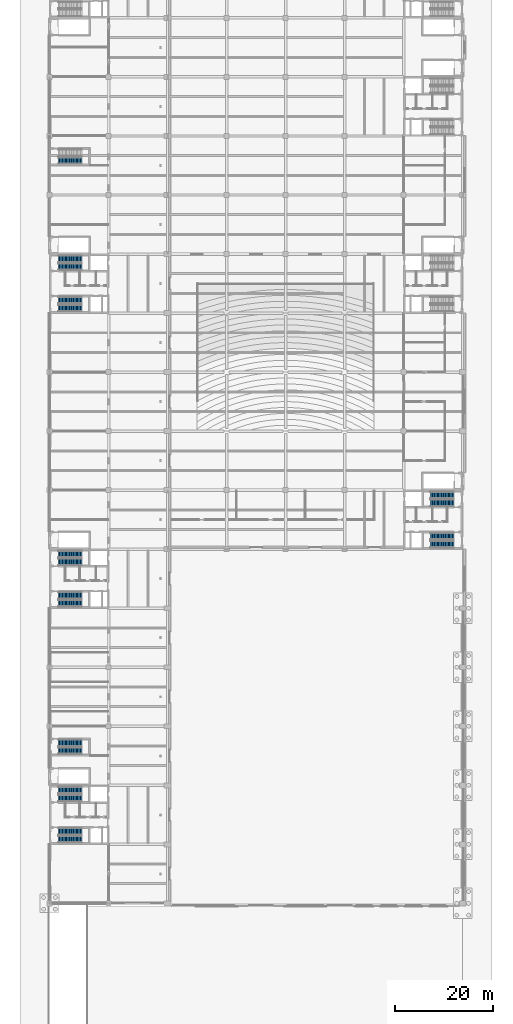
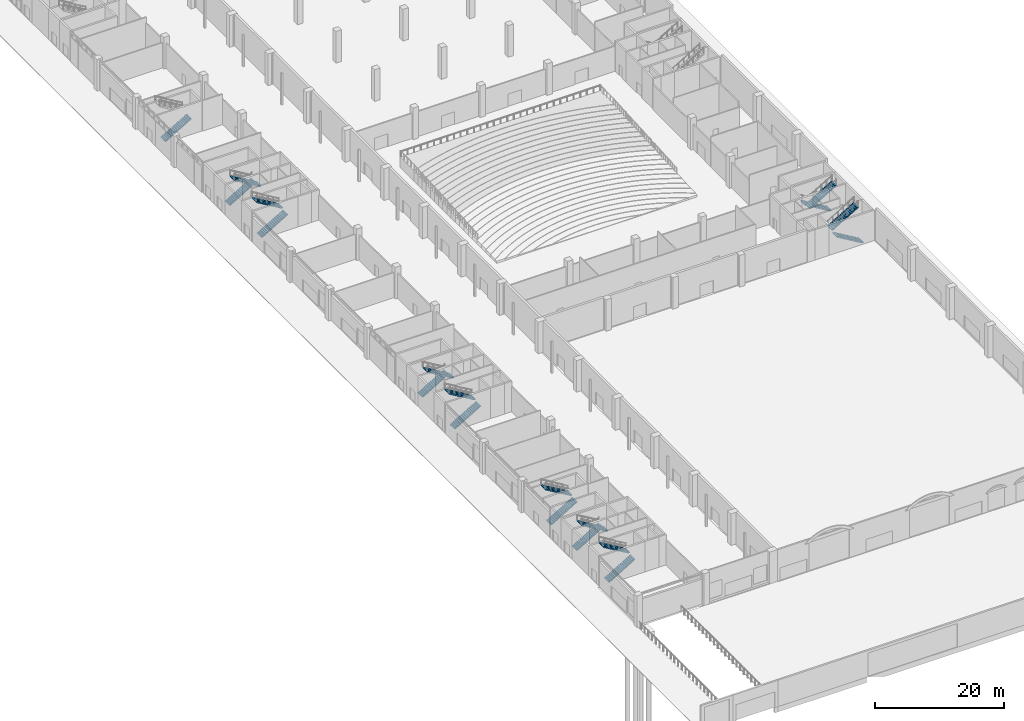
# One storey, part 50 of 59: 19 stair flights, 10 elements without a shape of their own.
"""IFC4 building model written with IfcOpenShell, lengths in metres."""

from ifc_helpers import new_model, si_unit, direction, frame, origin, place, context, subcontext, project, spatial, polyline, outline, extrude, material, type_object, element, aggregate, save


model = new_model("IFC4")

# Units and contexts
model_context = context("Model", 3, precision=1e-05, world=origin(), true_north=direction((0.0, 1.0)))
body_context = subcontext(model_context, "Body", "Model", "MODEL_VIEW")
ifc_project = project(units=[si_unit("LENGTHUNIT", "METRE"), si_unit("AREAUNIT", "SQUARE_METRE"), si_unit("VOLUMEUNIT", "CUBIC_METRE"), si_unit("PLANEANGLEUNIT", "RADIAN"), si_unit("MASSUNIT", "GRAM", prefix="KILO")], contexts=[model_context])

# Site, building, storey
site_placement = place(None, origin())
site = spatial("IfcSite", under=ifc_project, at=site_placement, CompositionType="ELEMENT")
building_placement = place(site_placement, origin())
building = spatial("IfcBuilding", under=site, at=building_placement, Name="Lilac Gate Convention Centre", CompositionType="ELEMENT")
storey_placement = place(building_placement, origin())
storey = spatial("IfcBuildingStorey", under=building, at=storey_placement, Name="L00", CompositionType="ELEMENT", Elevation=0.0)

# Stair, stair flights
ifc_material = material(Name="Concrete C40", Category="concrete")
stair_type = type_object("IfcStairType", Name="Exit stair two flights", PredefinedType="HALF_TURN_STAIR", material=ifc_material)
stair_1_placement = place(storey_placement, origin())
stair_1 = element("IfcStair", 1, at=stair_1_placement, inside=storey, type_object=stair_type, Name="Exit stair W1A L00 to L01", PredefinedType="HALF_TURN_STAIR")
stair_flight_type = type_object("IfcStairFlightType", Name="Stair flight 1400 precast", PredefinedType="STRAIGHT", material=ifc_material)
stair_flight_1_placement = place(storey_placement, frame((7.800048828125, 43.0, 0.0), z_axis=(0.0, 0.0, 1.0), x_axis=(1.0, 0.0, 0.0)))
stair_flight_1 = element("IfcStairFlight", 2, at=stair_flight_1_placement, type_object=stair_flight_type, Name="ST1 flight 1", NumberOfRisers=18, NumberOfTreads=17, PredefinedType="STRAIGHT", RiserHeight=0.166666667, TreadLength=0.28, context=body_context, shape_type="SweptSolid", body=[
    extrude(outline(polyline([(0.0, 0.0), (0.0, 0.166748046875), (0.280029296875, 0.166748046875), (0.280029296875, 0.333251953125), (0.56005859375, 0.333251953125), (0.56005859375, 0.5), (0.840087890625, 0.5), (0.840087890625, 0.666748046875), (1.1201171875, 0.666748046875), (1.1201171875, 0.833251953125), (1.39990234375, 0.833251953125), (1.39990234375, 1.0), (1.679931640625, 1.0), (1.679931640625, 1.166748046875), (1.9599609375, 1.166748046875), (1.9599609375, 1.333251953125), (2.239990234375, 1.333251953125), (2.239990234375, 1.5), (2.52001953125, 1.5), (2.52001953125, 1.666748046875), (2.800048828125, 1.666748046875), (2.800048828125, 1.833251953125), (3.080078125, 1.833251953125), (3.080078125, 2.0), (3.360107421875, 2.0), (3.360107421875, 2.166748046875), (3.639892578125, 2.166748046875), (3.639892578125, 2.333251953125), (3.919921875, 2.333251953125), (3.919921875, 2.5), (4.199951171875, 2.5), (4.199951171875, 2.666748046875), (4.47998046875, 2.666748046875), (4.47998046875, 2.833251953125), (4.760009765625, 2.833251953125), (4.760009765625, 3.0), (4.760009765625, 2.658935546875), (0.29296875, 0.0), (0.0, 0.0)])), frame((0.0, 0.699951171875, 0.0), z_axis=(0.0, -1.0, 0.0), x_axis=(1.0, 0.0, 0.0)), (0.0, 0.0, 1.0), 1.39990234375),
])
stair_flight_2_placement = place(storey_placement, frame((12.56005859375, 44.60009765625, 3.0), z_axis=(0.0, 0.0, 1.0), x_axis=(-1.0, 0.0, 0.0)))
stair_flight_2 = element("IfcStairFlight", 3, at=stair_flight_2_placement, type_object=stair_flight_type, Name="ST1 flight 2", NumberOfRisers=18, NumberOfTreads=17, PredefinedType="STRAIGHT", RiserHeight=0.166666667, TreadLength=0.28, context=body_context, shape_type="SweptSolid", body=[
    extrude(outline(polyline([(0.0, 0.0), (0.0, 0.166748046875), (0.280029296875, 0.166748046875), (0.280029296875, 0.333251953125), (0.56005859375, 0.333251953125), (0.56005859375, 0.5), (0.840087890625, 0.5), (0.840087890625, 0.666748046875), (1.1201171875, 0.666748046875), (1.1201171875, 0.833251953125), (1.39990234375, 0.833251953125), (1.39990234375, 1.0), (1.679931640625, 1.0), (1.679931640625, 1.166748046875), (1.9599609375, 1.166748046875), (1.9599609375, 1.333251953125), (2.239990234375, 1.333251953125), (2.239990234375, 1.5), (2.52001953125, 1.5), (2.52001953125, 1.666748046875), (2.800048828125, 1.666748046875), (2.800048828125, 1.833251953125), (3.080078125, 1.833251953125), (3.080078125, 2.0), (3.360107421875, 2.0), (3.360107421875, 2.166748046875), (3.639892578125, 2.166748046875), (3.639892578125, 2.333251953125), (3.919921875, 2.333251953125), (3.919921875, 2.5), (4.199951171875, 2.5), (4.199951171875, 2.666748046875), (4.47998046875, 2.666748046875), (4.47998046875, 2.833251953125), (4.760009765625, 2.833251953125), (4.760009765625, 3.0), (4.760009765625, 2.658935546875), (0.29296875, 0.0), (0.0, 0.0)])), frame((0.0, 0.699951171875, 0.0), z_axis=(0.0, -1.0, 0.0), x_axis=(1.0, 0.0, 0.0)), (0.0, 0.0, 1.0), 1.39990234375),
])
aggregate(stair_1, [stair_flight_1, stair_flight_2])

stair_2_placement = place(storey_placement, origin())
stair_2 = element("IfcStair", 4, at=stair_2_placement, inside=storey, type_object=stair_type, Name="Exit stair W1B L00 to L01", PredefinedType="HALF_TURN_STAIR")
stair_flight_3_placement = place(storey_placement, frame((7.800048828125, 53.0, 0.0), z_axis=(0.0, 0.0, 1.0), x_axis=(1.0, 0.0, 0.0)))
stair_flight_3 = element("IfcStairFlight", 5, at=stair_flight_3_placement, type_object=stair_flight_type, Name="ST2 flight 1", NumberOfRisers=18, NumberOfTreads=17, PredefinedType="STRAIGHT", RiserHeight=0.166666667, TreadLength=0.28, context=body_context, shape_type="SweptSolid", body=[
    extrude(outline(polyline([(0.0, 0.0), (0.0, 0.166748046875), (0.280029296875, 0.166748046875), (0.280029296875, 0.333251953125), (0.56005859375, 0.333251953125), (0.56005859375, 0.5), (0.840087890625, 0.5), (0.840087890625, 0.666748046875), (1.1201171875, 0.666748046875), (1.1201171875, 0.833251953125), (1.39990234375, 0.833251953125), (1.39990234375, 1.0), (1.679931640625, 1.0), (1.679931640625, 1.166748046875), (1.9599609375, 1.166748046875), (1.9599609375, 1.333251953125), (2.239990234375, 1.333251953125), (2.239990234375, 1.5), (2.52001953125, 1.5), (2.52001953125, 1.666748046875), (2.800048828125, 1.666748046875), (2.800048828125, 1.833251953125), (3.080078125, 1.833251953125), (3.080078125, 2.0), (3.360107421875, 2.0), (3.360107421875, 2.166748046875), (3.639892578125, 2.166748046875), (3.639892578125, 2.333251953125), (3.919921875, 2.333251953125), (3.919921875, 2.5), (4.199951171875, 2.5), (4.199951171875, 2.666748046875), (4.47998046875, 2.666748046875), (4.47998046875, 2.833251953125), (4.760009765625, 2.833251953125), (4.760009765625, 3.0), (4.760009765625, 2.658935546875), (0.29296875, 0.0), (0.0, 0.0)])), frame((0.0, 0.699951171875, 0.0), z_axis=(0.0, -1.0, 0.0), x_axis=(1.0, 0.0, 0.0)), (0.0, 0.0, 1.0), 1.39990234375),
])
stair_flight_4_placement = place(storey_placement, frame((12.56005859375, 51.39990234375, 3.0), z_axis=(0.0, 0.0, 1.0), x_axis=(-1.0, 0.0, 0.0)))
stair_flight_4 = element("IfcStairFlight", 6, at=stair_flight_4_placement, type_object=stair_flight_type, Name="ST2 flight 2", NumberOfRisers=18, NumberOfTreads=17, PredefinedType="STRAIGHT", RiserHeight=0.166666667, TreadLength=0.28, context=body_context, shape_type="SweptSolid", body=[
    extrude(outline(polyline([(0.0, 0.0), (0.0, 0.166748046875), (0.280029296875, 0.166748046875), (0.280029296875, 0.333251953125), (0.56005859375, 0.333251953125), (0.56005859375, 0.5), (0.840087890625, 0.5), (0.840087890625, 0.666748046875), (1.1201171875, 0.666748046875), (1.1201171875, 0.833251953125), (1.39990234375, 0.833251953125), (1.39990234375, 1.0), (1.679931640625, 1.0), (1.679931640625, 1.166748046875), (1.9599609375, 1.166748046875), (1.9599609375, 1.333251953125), (2.239990234375, 1.333251953125), (2.239990234375, 1.5), (2.52001953125, 1.5), (2.52001953125, 1.666748046875), (2.800048828125, 1.666748046875), (2.800048828125, 1.833251953125), (3.080078125, 1.833251953125), (3.080078125, 2.0), (3.360107421875, 2.0), (3.360107421875, 2.166748046875), (3.639892578125, 2.166748046875), (3.639892578125, 2.333251953125), (3.919921875, 2.333251953125), (3.919921875, 2.5), (4.199951171875, 2.5), (4.199951171875, 2.666748046875), (4.47998046875, 2.666748046875), (4.47998046875, 2.833251953125), (4.760009765625, 2.833251953125), (4.760009765625, 3.0), (4.760009765625, 2.658935546875), (0.29296875, 0.0), (0.0, 0.0)])), frame((0.0, 0.699951171875, 0.0), z_axis=(0.0, -1.0, 0.0), x_axis=(1.0, 0.0, 0.0)), (0.0, 0.0, 1.0), 1.39990234375),
])
aggregate(stair_2, [stair_flight_3, stair_flight_4])

stair_3_placement = place(storey_placement, origin())
stair_3 = element("IfcStair", 7, at=stair_3_placement, inside=storey, type_object=stair_type, Name="Exit stair W2A L00 to L01", PredefinedType="HALF_TURN_STAIR")
stair_flight_5_placement = place(storey_placement, frame((7.800048828125, 91.0, 0.0), z_axis=(0.0, 0.0, 1.0), x_axis=(1.0, 0.0, 0.0)))
stair_flight_5 = element("IfcStairFlight", 8, at=stair_flight_5_placement, type_object=stair_flight_type, Name="ST7 flight 1", NumberOfRisers=18, NumberOfTreads=17, PredefinedType="STRAIGHT", RiserHeight=0.166666667, TreadLength=0.28, context=body_context, shape_type="SweptSolid", body=[
    extrude(outline(polyline([(0.0, 0.0), (0.0, 0.166748046875), (0.280029296875, 0.166748046875), (0.280029296875, 0.333251953125), (0.56005859375, 0.333251953125), (0.56005859375, 0.5), (0.840087890625, 0.5), (0.840087890625, 0.666748046875), (1.1201171875, 0.666748046875), (1.1201171875, 0.833251953125), (1.39990234375, 0.833251953125), (1.39990234375, 1.0), (1.679931640625, 1.0), (1.679931640625, 1.166748046875), (1.9599609375, 1.166748046875), (1.9599609375, 1.333251953125), (2.239990234375, 1.333251953125), (2.239990234375, 1.5), (2.52001953125, 1.5), (2.52001953125, 1.666748046875), (2.800048828125, 1.666748046875), (2.800048828125, 1.833251953125), (3.080078125, 1.833251953125), (3.080078125, 2.0), (3.360107421875, 2.0), (3.360107421875, 2.166748046875), (3.639892578125, 2.166748046875), (3.639892578125, 2.333251953125), (3.919921875, 2.333251953125), (3.919921875, 2.5), (4.199951171875, 2.5), (4.199951171875, 2.666748046875), (4.47998046875, 2.666748046875), (4.47998046875, 2.833251953125), (4.760009765625, 2.833251953125), (4.760009765625, 3.0), (4.760009765625, 2.658935546875), (0.29296875, 0.0), (0.0, 0.0)])), frame((0.0, 0.699951171875, 0.0), z_axis=(0.0, -1.0, 0.0), x_axis=(1.0, 0.0, 0.0)), (0.0, 0.0, 1.0), 1.39990234375),
])
stair_flight_6_placement = place(storey_placement, frame((12.56005859375, 92.60009765625, 3.0), z_axis=(0.0, 0.0, 1.0), x_axis=(-1.0, 0.0, 0.0)))
stair_flight_6 = element("IfcStairFlight", 9, at=stair_flight_6_placement, type_object=stair_flight_type, Name="ST7 flight 2", NumberOfRisers=18, NumberOfTreads=17, PredefinedType="STRAIGHT", RiserHeight=0.166666667, TreadLength=0.28, context=body_context, shape_type="SweptSolid", body=[
    extrude(outline(polyline([(0.0, 0.0), (0.0, 0.166748046875), (0.280029296875, 0.166748046875), (0.280029296875, 0.333251953125), (0.56005859375, 0.333251953125), (0.56005859375, 0.5), (0.840087890625, 0.5), (0.840087890625, 0.666748046875), (1.1201171875, 0.666748046875), (1.1201171875, 0.833251953125), (1.39990234375, 0.833251953125), (1.39990234375, 1.0), (1.679931640625, 1.0), (1.679931640625, 1.166748046875), (1.9599609375, 1.166748046875), (1.9599609375, 1.333251953125), (2.239990234375, 1.333251953125), (2.239990234375, 1.5), (2.52001953125, 1.5), (2.52001953125, 1.666748046875), (2.800048828125, 1.666748046875), (2.800048828125, 1.833251953125), (3.080078125, 1.833251953125), (3.080078125, 2.0), (3.360107421875, 2.0), (3.360107421875, 2.166748046875), (3.639892578125, 2.166748046875), (3.639892578125, 2.333251953125), (3.919921875, 2.333251953125), (3.919921875, 2.5), (4.199951171875, 2.5), (4.199951171875, 2.666748046875), (4.47998046875, 2.666748046875), (4.47998046875, 2.833251953125), (4.760009765625, 2.833251953125), (4.760009765625, 3.0), (4.760009765625, 2.658935546875), (0.29296875, 0.0), (0.0, 0.0)])), frame((0.0, 0.699951171875, 0.0), z_axis=(0.0, -1.0, 0.0), x_axis=(1.0, 0.0, 0.0)), (0.0, 0.0, 1.0), 1.39990234375),
])
aggregate(stair_3, [stair_flight_5, stair_flight_6])

stair_4_placement = place(storey_placement, origin())
stair_4 = element("IfcStair", 10, at=stair_4_placement, inside=storey, type_object=stair_type, Name="Exit stair W2B L00 to L01", PredefinedType="HALF_TURN_STAIR")
stair_flight_7_placement = place(storey_placement, frame((7.800048828125, 101.0, 0.0), z_axis=(0.0, 0.0, 1.0), x_axis=(1.0, 0.0, 0.0)))
stair_flight_7 = element("IfcStairFlight", 11, at=stair_flight_7_placement, type_object=stair_flight_type, Name="ST8 flight 1", NumberOfRisers=18, NumberOfTreads=17, PredefinedType="STRAIGHT", RiserHeight=0.166666667, TreadLength=0.28, context=body_context, shape_type="SweptSolid", body=[
    extrude(outline(polyline([(0.0, 0.0), (0.0, 0.166748046875), (0.280029296875, 0.166748046875), (0.280029296875, 0.333251953125), (0.56005859375, 0.333251953125), (0.56005859375, 0.5), (0.840087890625, 0.5), (0.840087890625, 0.666748046875), (1.1201171875, 0.666748046875), (1.1201171875, 0.833251953125), (1.39990234375, 0.833251953125), (1.39990234375, 1.0), (1.679931640625, 1.0), (1.679931640625, 1.166748046875), (1.9599609375, 1.166748046875), (1.9599609375, 1.333251953125), (2.239990234375, 1.333251953125), (2.239990234375, 1.5), (2.52001953125, 1.5), (2.52001953125, 1.666748046875), (2.800048828125, 1.666748046875), (2.800048828125, 1.833251953125), (3.080078125, 1.833251953125), (3.080078125, 2.0), (3.360107421875, 2.0), (3.360107421875, 2.166748046875), (3.639892578125, 2.166748046875), (3.639892578125, 2.333251953125), (3.919921875, 2.333251953125), (3.919921875, 2.5), (4.199951171875, 2.5), (4.199951171875, 2.666748046875), (4.47998046875, 2.666748046875), (4.47998046875, 2.833251953125), (4.760009765625, 2.833251953125), (4.760009765625, 3.0), (4.760009765625, 2.658935546875), (0.29296875, 0.0), (0.0, 0.0)])), frame((0.0, 0.699951171875, 0.0), z_axis=(0.0, -1.0, 0.0), x_axis=(1.0, 0.0, 0.0)), (0.0, 0.0, 1.0), 1.39990234375),
])
stair_flight_8_placement = place(storey_placement, frame((12.56005859375, 99.39990234375, 3.0), z_axis=(0.0, 0.0, 1.0), x_axis=(-1.0, 0.0, 0.0)))
stair_flight_8 = element("IfcStairFlight", 12, at=stair_flight_8_placement, type_object=stair_flight_type, Name="ST8 flight 2", NumberOfRisers=18, NumberOfTreads=17, PredefinedType="STRAIGHT", RiserHeight=0.166666667, TreadLength=0.28, context=body_context, shape_type="SweptSolid", body=[
    extrude(outline(polyline([(0.0, 0.0), (0.0, 0.166748046875), (0.280029296875, 0.166748046875), (0.280029296875, 0.333251953125), (0.56005859375, 0.333251953125), (0.56005859375, 0.5), (0.840087890625, 0.5), (0.840087890625, 0.666748046875), (1.1201171875, 0.666748046875), (1.1201171875, 0.833251953125), (1.39990234375, 0.833251953125), (1.39990234375, 1.0), (1.679931640625, 1.0), (1.679931640625, 1.166748046875), (1.9599609375, 1.166748046875), (1.9599609375, 1.333251953125), (2.239990234375, 1.333251953125), (2.239990234375, 1.5), (2.52001953125, 1.5), (2.52001953125, 1.666748046875), (2.800048828125, 1.666748046875), (2.800048828125, 1.833251953125), (3.080078125, 1.833251953125), (3.080078125, 2.0), (3.360107421875, 2.0), (3.360107421875, 2.166748046875), (3.639892578125, 2.166748046875), (3.639892578125, 2.333251953125), (3.919921875, 2.333251953125), (3.919921875, 2.5), (4.199951171875, 2.5), (4.199951171875, 2.666748046875), (4.47998046875, 2.666748046875), (4.47998046875, 2.833251953125), (4.760009765625, 2.833251953125), (4.760009765625, 3.0), (4.760009765625, 2.658935546875), (0.29296875, 0.0), (0.0, 0.0)])), frame((0.0, 0.699951171875, 0.0), z_axis=(0.0, -1.0, 0.0), x_axis=(1.0, 0.0, 0.0)), (0.0, 0.0, 1.0), 1.39990234375),
])
aggregate(stair_4, [stair_flight_7, stair_flight_8])

stair_5_placement = place(storey_placement, origin())
stair_5 = element("IfcStair", 13, at=stair_5_placement, inside=storey, type_object=stair_type, Name="Exit stair W3A L00 to L01", PredefinedType="HALF_TURN_STAIR")
stair_flight_9_placement = place(storey_placement, frame((7.800048828125, 151.0, 0.0), z_axis=(0.0, 0.0, 1.0), x_axis=(1.0, 0.0, 0.0)))
stair_flight_9 = element("IfcStairFlight", 14, at=stair_flight_9_placement, type_object=stair_flight_type, Name="ST13 flight 1", NumberOfRisers=18, NumberOfTreads=17, PredefinedType="STRAIGHT", RiserHeight=0.166666667, TreadLength=0.28, context=body_context, shape_type="SweptSolid", body=[
    extrude(outline(polyline([(0.0, 0.0), (0.0, 0.166748046875), (0.280029296875, 0.166748046875), (0.280029296875, 0.333251953125), (0.56005859375, 0.333251953125), (0.56005859375, 0.5), (0.840087890625, 0.5), (0.840087890625, 0.666748046875), (1.1201171875, 0.666748046875), (1.1201171875, 0.833251953125), (1.39990234375, 0.833251953125), (1.39990234375, 1.0), (1.679931640625, 1.0), (1.679931640625, 1.166748046875), (1.9599609375, 1.166748046875), (1.9599609375, 1.333251953125), (2.239990234375, 1.333251953125), (2.239990234375, 1.5), (2.52001953125, 1.5), (2.52001953125, 1.666748046875), (2.800048828125, 1.666748046875), (2.800048828125, 1.833251953125), (3.080078125, 1.833251953125), (3.080078125, 2.0), (3.360107421875, 2.0), (3.360107421875, 2.166748046875), (3.639892578125, 2.166748046875), (3.639892578125, 2.333251953125), (3.919921875, 2.333251953125), (3.919921875, 2.5), (4.199951171875, 2.5), (4.199951171875, 2.666748046875), (4.47998046875, 2.666748046875), (4.47998046875, 2.833251953125), (4.760009765625, 2.833251953125), (4.760009765625, 3.0), (4.760009765625, 2.658935546875), (0.29296875, 0.0), (0.0, 0.0)])), frame((0.0, 0.699951171875, 0.0), z_axis=(0.0, -1.0, 0.0), x_axis=(1.0, 0.0, 0.0)), (0.0, 0.0, 1.0), 1.39990234375),
])
stair_flight_10_placement = place(storey_placement, frame((12.56005859375, 152.60009765625, 3.0), z_axis=(0.0, 0.0, 1.0), x_axis=(-1.0, 0.0, 0.0)))
stair_flight_10 = element("IfcStairFlight", 15, at=stair_flight_10_placement, type_object=stair_flight_type, Name="ST13 flight 2", NumberOfRisers=18, NumberOfTreads=17, PredefinedType="STRAIGHT", RiserHeight=0.166666667, TreadLength=0.28, context=body_context, shape_type="SweptSolid", body=[
    extrude(outline(polyline([(0.0, 0.0), (0.0, 0.166748046875), (0.280029296875, 0.166748046875), (0.280029296875, 0.333251953125), (0.56005859375, 0.333251953125), (0.56005859375, 0.5), (0.840087890625, 0.5), (0.840087890625, 0.666748046875), (1.1201171875, 0.666748046875), (1.1201171875, 0.833251953125), (1.39990234375, 0.833251953125), (1.39990234375, 1.0), (1.679931640625, 1.0), (1.679931640625, 1.166748046875), (1.9599609375, 1.166748046875), (1.9599609375, 1.333251953125), (2.239990234375, 1.333251953125), (2.239990234375, 1.5), (2.52001953125, 1.5), (2.52001953125, 1.666748046875), (2.800048828125, 1.666748046875), (2.800048828125, 1.833251953125), (3.080078125, 1.833251953125), (3.080078125, 2.0), (3.360107421875, 2.0), (3.360107421875, 2.166748046875), (3.639892578125, 2.166748046875), (3.639892578125, 2.333251953125), (3.919921875, 2.333251953125), (3.919921875, 2.5), (4.199951171875, 2.5), (4.199951171875, 2.666748046875), (4.47998046875, 2.666748046875), (4.47998046875, 2.833251953125), (4.760009765625, 2.833251953125), (4.760009765625, 3.0), (4.760009765625, 2.658935546875), (0.29296875, 0.0), (0.0, 0.0)])), frame((0.0, 0.699951171875, 0.0), z_axis=(0.0, -1.0, 0.0), x_axis=(1.0, 0.0, 0.0)), (0.0, 0.0, 1.0), 1.39990234375),
])
aggregate(stair_5, [stair_flight_9, stair_flight_10])

stair_6_placement = place(storey_placement, origin())
stair_6 = element("IfcStair", 16, at=stair_6_placement, inside=storey, type_object=stair_type, Name="Exit stair W3B L00 to L01", PredefinedType="HALF_TURN_STAIR")
stair_flight_11_placement = place(storey_placement, frame((7.800048828125, 161.0, 0.0), z_axis=(0.0, 0.0, 1.0), x_axis=(1.0, 0.0, 0.0)))
stair_flight_11 = element("IfcStairFlight", 17, at=stair_flight_11_placement, type_object=stair_flight_type, Name="ST14 flight 1", NumberOfRisers=18, NumberOfTreads=17, PredefinedType="STRAIGHT", RiserHeight=0.166666667, TreadLength=0.28, context=body_context, shape_type="SweptSolid", body=[
    extrude(outline(polyline([(0.0, 0.0), (0.0, 0.166748046875), (0.280029296875, 0.166748046875), (0.280029296875, 0.333251953125), (0.56005859375, 0.333251953125), (0.56005859375, 0.5), (0.840087890625, 0.5), (0.840087890625, 0.666748046875), (1.1201171875, 0.666748046875), (1.1201171875, 0.833251953125), (1.39990234375, 0.833251953125), (1.39990234375, 1.0), (1.679931640625, 1.0), (1.679931640625, 1.166748046875), (1.9599609375, 1.166748046875), (1.9599609375, 1.333251953125), (2.239990234375, 1.333251953125), (2.239990234375, 1.5), (2.52001953125, 1.5), (2.52001953125, 1.666748046875), (2.800048828125, 1.666748046875), (2.800048828125, 1.833251953125), (3.080078125, 1.833251953125), (3.080078125, 2.0), (3.360107421875, 2.0), (3.360107421875, 2.166748046875), (3.639892578125, 2.166748046875), (3.639892578125, 2.333251953125), (3.919921875, 2.333251953125), (3.919921875, 2.5), (4.199951171875, 2.5), (4.199951171875, 2.666748046875), (4.47998046875, 2.666748046875), (4.47998046875, 2.833251953125), (4.760009765625, 2.833251953125), (4.760009765625, 3.0), (4.760009765625, 2.658935546875), (0.29296875, 0.0), (0.0, 0.0)])), frame((0.0, 0.699951171875, 0.0), z_axis=(0.0, -1.0, 0.0), x_axis=(1.0, 0.0, 0.0)), (0.0, 0.0, 1.0), 1.39990234375),
])
stair_flight_12_placement = place(storey_placement, frame((12.56005859375, 159.39990234375, 3.0), z_axis=(0.0, 0.0, 1.0), x_axis=(-1.0, 0.0, 0.0)))
stair_flight_12 = element("IfcStairFlight", 18, at=stair_flight_12_placement, type_object=stair_flight_type, Name="ST14 flight 2", NumberOfRisers=18, NumberOfTreads=17, PredefinedType="STRAIGHT", RiserHeight=0.166666667, TreadLength=0.28, context=body_context, shape_type="SweptSolid", body=[
    extrude(outline(polyline([(0.0, 0.0), (0.0, 0.166748046875), (0.280029296875, 0.166748046875), (0.280029296875, 0.333251953125), (0.56005859375, 0.333251953125), (0.56005859375, 0.5), (0.840087890625, 0.5), (0.840087890625, 0.666748046875), (1.1201171875, 0.666748046875), (1.1201171875, 0.833251953125), (1.39990234375, 0.833251953125), (1.39990234375, 1.0), (1.679931640625, 1.0), (1.679931640625, 1.166748046875), (1.9599609375, 1.166748046875), (1.9599609375, 1.333251953125), (2.239990234375, 1.333251953125), (2.239990234375, 1.5), (2.52001953125, 1.5), (2.52001953125, 1.666748046875), (2.800048828125, 1.666748046875), (2.800048828125, 1.833251953125), (3.080078125, 1.833251953125), (3.080078125, 2.0), (3.360107421875, 2.0), (3.360107421875, 2.166748046875), (3.639892578125, 2.166748046875), (3.639892578125, 2.333251953125), (3.919921875, 2.333251953125), (3.919921875, 2.5), (4.199951171875, 2.5), (4.199951171875, 2.666748046875), (4.47998046875, 2.666748046875), (4.47998046875, 2.833251953125), (4.760009765625, 2.833251953125), (4.760009765625, 3.0), (4.760009765625, 2.658935546875), (0.29296875, 0.0), (0.0, 0.0)])), frame((0.0, 0.699951171875, 0.0), z_axis=(0.0, -1.0, 0.0), x_axis=(1.0, 0.0, 0.0)), (0.0, 0.0, 1.0), 1.39990234375),
])
aggregate(stair_6, [stair_flight_11, stair_flight_12])

stair_7_placement = place(storey_placement, origin())
stair_7 = element("IfcStair", 19, at=stair_7_placement, inside=storey, type_object=stair_type, Name="Exit stair E1A L00 to L01", PredefinedType="HALF_TURN_STAIR")
stair_flight_13_placement = place(storey_placement, frame((88.199951171875, 103.0, 0.0), z_axis=(0.0, 0.0, 1.0), x_axis=(-1.0, 0.0, 0.0)))
stair_flight_13 = element("IfcStairFlight", 20, at=stair_flight_13_placement, type_object=stair_flight_type, Name="ST25 flight 1", NumberOfRisers=18, NumberOfTreads=17, PredefinedType="STRAIGHT", RiserHeight=0.166666667, TreadLength=0.28, context=body_context, shape_type="SweptSolid", body=[
    extrude(outline(polyline([(0.0, 0.0), (0.0, 0.166748046875), (0.280029296875, 0.166748046875), (0.280029296875, 0.333251953125), (0.56005859375, 0.333251953125), (0.56005859375, 0.5), (0.840087890625, 0.5), (0.840087890625, 0.666748046875), (1.1201171875, 0.666748046875), (1.1201171875, 0.833251953125), (1.39990234375, 0.833251953125), (1.39990234375, 1.0), (1.679931640625, 1.0), (1.679931640625, 1.166748046875), (1.9599609375, 1.166748046875), (1.9599609375, 1.333251953125), (2.239990234375, 1.333251953125), (2.239990234375, 1.5), (2.52001953125, 1.5), (2.52001953125, 1.666748046875), (2.800048828125, 1.666748046875), (2.800048828125, 1.833251953125), (3.080078125, 1.833251953125), (3.080078125, 2.0), (3.360107421875, 2.0), (3.360107421875, 2.166748046875), (3.639892578125, 2.166748046875), (3.639892578125, 2.333251953125), (3.919921875, 2.333251953125), (3.919921875, 2.5), (4.199951171875, 2.5), (4.199951171875, 2.666748046875), (4.47998046875, 2.666748046875), (4.47998046875, 2.833251953125), (4.760009765625, 2.833251953125), (4.760009765625, 3.0), (4.760009765625, 2.658935546875), (0.29296875, 0.0), (0.0, 0.0)])), frame((0.0, 0.699951171875, 0.0), z_axis=(0.0, -1.0, 0.0), x_axis=(1.0, 0.0, 0.0)), (0.0, 0.0, 1.0), 1.39990234375),
])
stair_flight_14_placement = place(storey_placement, frame((83.43994140625, 104.60009765625, 3.0), z_axis=(0.0, 0.0, 1.0), x_axis=(1.0, 0.0, 0.0)))
stair_flight_14 = element("IfcStairFlight", 21, at=stair_flight_14_placement, type_object=stair_flight_type, Name="ST25 flight 2", NumberOfRisers=18, NumberOfTreads=17, PredefinedType="STRAIGHT", RiserHeight=0.166666667, TreadLength=0.28, context=body_context, shape_type="SweptSolid", body=[
    extrude(outline(polyline([(0.0, 0.0), (0.0, 0.166748046875), (0.280029296875, 0.166748046875), (0.280029296875, 0.333251953125), (0.56005859375, 0.333251953125), (0.56005859375, 0.5), (0.840087890625, 0.5), (0.840087890625, 0.666748046875), (1.1201171875, 0.666748046875), (1.1201171875, 0.833251953125), (1.39990234375, 0.833251953125), (1.39990234375, 1.0), (1.679931640625, 1.0), (1.679931640625, 1.166748046875), (1.9599609375, 1.166748046875), (1.9599609375, 1.333251953125), (2.239990234375, 1.333251953125), (2.239990234375, 1.5), (2.52001953125, 1.5), (2.52001953125, 1.666748046875), (2.800048828125, 1.666748046875), (2.800048828125, 1.833251953125), (3.080078125, 1.833251953125), (3.080078125, 2.0), (3.360107421875, 2.0), (3.360107421875, 2.166748046875), (3.639892578125, 2.166748046875), (3.639892578125, 2.333251953125), (3.919921875, 2.333251953125), (3.919921875, 2.5), (4.199951171875, 2.5), (4.199951171875, 2.666748046875), (4.47998046875, 2.666748046875), (4.47998046875, 2.833251953125), (4.760009765625, 2.833251953125), (4.760009765625, 3.0), (4.760009765625, 2.658935546875), (0.29296875, 0.0), (0.0, 0.0)])), frame((0.0, 0.699951171875, 0.0), z_axis=(0.0, -1.0, 0.0), x_axis=(1.0, 0.0, 0.0)), (0.0, 0.0, 1.0), 1.39990234375),
])
aggregate(stair_7, [stair_flight_13, stair_flight_14])

stair_8_placement = place(storey_placement, origin())
stair_8 = element("IfcStair", 22, at=stair_8_placement, inside=storey, type_object=stair_type, Name="Exit stair E1B L00 to L01", PredefinedType="HALF_TURN_STAIR")
stair_flight_15_placement = place(storey_placement, frame((88.199951171875, 113.0, 0.0), z_axis=(0.0, 0.0, 1.0), x_axis=(-1.0, 0.0, 0.0)))
stair_flight_15 = element("IfcStairFlight", 23, at=stair_flight_15_placement, type_object=stair_flight_type, Name="ST26 flight 1", NumberOfRisers=18, NumberOfTreads=17, PredefinedType="STRAIGHT", RiserHeight=0.166666667, TreadLength=0.28, context=body_context, shape_type="SweptSolid", body=[
    extrude(outline(polyline([(0.0, 0.0), (0.0, 0.166748046875), (0.280029296875, 0.166748046875), (0.280029296875, 0.333251953125), (0.56005859375, 0.333251953125), (0.56005859375, 0.5), (0.840087890625, 0.5), (0.840087890625, 0.666748046875), (1.1201171875, 0.666748046875), (1.1201171875, 0.833251953125), (1.39990234375, 0.833251953125), (1.39990234375, 1.0), (1.679931640625, 1.0), (1.679931640625, 1.166748046875), (1.9599609375, 1.166748046875), (1.9599609375, 1.333251953125), (2.239990234375, 1.333251953125), (2.239990234375, 1.5), (2.52001953125, 1.5), (2.52001953125, 1.666748046875), (2.800048828125, 1.666748046875), (2.800048828125, 1.833251953125), (3.080078125, 1.833251953125), (3.080078125, 2.0), (3.360107421875, 2.0), (3.360107421875, 2.166748046875), (3.639892578125, 2.166748046875), (3.639892578125, 2.333251953125), (3.919921875, 2.333251953125), (3.919921875, 2.5), (4.199951171875, 2.5), (4.199951171875, 2.666748046875), (4.47998046875, 2.666748046875), (4.47998046875, 2.833251953125), (4.760009765625, 2.833251953125), (4.760009765625, 3.0), (4.760009765625, 2.658935546875), (0.29296875, 0.0), (0.0, 0.0)])), frame((0.0, 0.699951171875, 0.0), z_axis=(0.0, -1.0, 0.0), x_axis=(1.0, 0.0, 0.0)), (0.0, 0.0, 1.0), 1.39990234375),
])
stair_flight_16_placement = place(storey_placement, frame((83.43994140625, 111.39990234375, 3.0), z_axis=(0.0, 0.0, 1.0), x_axis=(1.0, 0.0, 0.0)))
stair_flight_16 = element("IfcStairFlight", 24, at=stair_flight_16_placement, type_object=stair_flight_type, Name="ST26 flight 2", NumberOfRisers=18, NumberOfTreads=17, PredefinedType="STRAIGHT", RiserHeight=0.166666667, TreadLength=0.28, context=body_context, shape_type="SweptSolid", body=[
    extrude(outline(polyline([(0.0, 0.0), (0.0, 0.166748046875), (0.280029296875, 0.166748046875), (0.280029296875, 0.333251953125), (0.56005859375, 0.333251953125), (0.56005859375, 0.5), (0.840087890625, 0.5), (0.840087890625, 0.666748046875), (1.1201171875, 0.666748046875), (1.1201171875, 0.833251953125), (1.39990234375, 0.833251953125), (1.39990234375, 1.0), (1.679931640625, 1.0), (1.679931640625, 1.166748046875), (1.9599609375, 1.166748046875), (1.9599609375, 1.333251953125), (2.239990234375, 1.333251953125), (2.239990234375, 1.5), (2.52001953125, 1.5), (2.52001953125, 1.666748046875), (2.800048828125, 1.666748046875), (2.800048828125, 1.833251953125), (3.080078125, 1.833251953125), (3.080078125, 2.0), (3.360107421875, 2.0), (3.360107421875, 2.166748046875), (3.639892578125, 2.166748046875), (3.639892578125, 2.333251953125), (3.919921875, 2.333251953125), (3.919921875, 2.5), (4.199951171875, 2.5), (4.199951171875, 2.666748046875), (4.47998046875, 2.666748046875), (4.47998046875, 2.833251953125), (4.760009765625, 2.833251953125), (4.760009765625, 3.0), (4.760009765625, 2.658935546875), (0.29296875, 0.0), (0.0, 0.0)])), frame((0.0, 0.699951171875, 0.0), z_axis=(0.0, -1.0, 0.0), x_axis=(1.0, 0.0, 0.0)), (0.0, 0.0, 1.0), 1.39990234375),
])
aggregate(stair_8, [stair_flight_15, stair_flight_16])

stair_9_placement = place(storey_placement, origin())
stair_9 = element("IfcStair", 25, at=stair_9_placement, inside=storey, type_object=stair_type, Name="Exit stair UW1 L00 to L01", PredefinedType="HALF_TURN_STAIR")
stair_flight_17_placement = place(storey_placement, frame((7.800048828125, 61.0, 0.0), z_axis=(0.0, 0.0, 1.0), x_axis=(1.0, 0.0, 0.0)))
stair_flight_17 = element("IfcStairFlight", 26, at=stair_flight_17_placement, type_object=stair_flight_type, Name="ST47 flight 1", NumberOfRisers=18, NumberOfTreads=17, PredefinedType="STRAIGHT", RiserHeight=0.166666667, TreadLength=0.28, context=body_context, shape_type="SweptSolid", body=[
    extrude(outline(polyline([(0.0, 0.0), (0.0, 0.166748046875), (0.280029296875, 0.166748046875), (0.280029296875, 0.333251953125), (0.56005859375, 0.333251953125), (0.56005859375, 0.5), (0.840087890625, 0.5), (0.840087890625, 0.666748046875), (1.1201171875, 0.666748046875), (1.1201171875, 0.833251953125), (1.39990234375, 0.833251953125), (1.39990234375, 1.0), (1.679931640625, 1.0), (1.679931640625, 1.166748046875), (1.9599609375, 1.166748046875), (1.9599609375, 1.333251953125), (2.239990234375, 1.333251953125), (2.239990234375, 1.5), (2.52001953125, 1.5), (2.52001953125, 1.666748046875), (2.800048828125, 1.666748046875), (2.800048828125, 1.833251953125), (3.080078125, 1.833251953125), (3.080078125, 2.0), (3.360107421875, 2.0), (3.360107421875, 2.166748046875), (3.639892578125, 2.166748046875), (3.639892578125, 2.333251953125), (3.919921875, 2.333251953125), (3.919921875, 2.5), (4.199951171875, 2.5), (4.199951171875, 2.666748046875), (4.47998046875, 2.666748046875), (4.47998046875, 2.833251953125), (4.760009765625, 2.833251953125), (4.760009765625, 3.0), (4.760009765625, 2.658935546875), (0.29296875, 0.0), (0.0, 0.0)])), frame((0.0, 0.699951171875, 0.0), z_axis=(0.0, -1.0, 0.0), x_axis=(1.0, 0.0, 0.0)), (0.0, 0.0, 1.0), 1.39990234375),
])
stair_flight_18_placement = place(storey_placement, frame((12.56005859375, 62.60009765625, 3.0), z_axis=(0.0, 0.0, 1.0), x_axis=(-1.0, 0.0, 0.0)))
stair_flight_18 = element("IfcStairFlight", 27, at=stair_flight_18_placement, type_object=stair_flight_type, Name="ST47 flight 2", NumberOfRisers=18, NumberOfTreads=17, PredefinedType="STRAIGHT", RiserHeight=0.166666667, TreadLength=0.28, context=body_context, shape_type="SweptSolid", body=[
    extrude(outline(polyline([(0.0, 0.0), (0.0, 0.166748046875), (0.280029296875, 0.166748046875), (0.280029296875, 0.333251953125), (0.56005859375, 0.333251953125), (0.56005859375, 0.5), (0.840087890625, 0.5), (0.840087890625, 0.666748046875), (1.1201171875, 0.666748046875), (1.1201171875, 0.833251953125), (1.39990234375, 0.833251953125), (1.39990234375, 1.0), (1.679931640625, 1.0), (1.679931640625, 1.166748046875), (1.9599609375, 1.166748046875), (1.9599609375, 1.333251953125), (2.239990234375, 1.333251953125), (2.239990234375, 1.5), (2.52001953125, 1.5), (2.52001953125, 1.666748046875), (2.800048828125, 1.666748046875), (2.800048828125, 1.833251953125), (3.080078125, 1.833251953125), (3.080078125, 2.0), (3.360107421875, 2.0), (3.360107421875, 2.166748046875), (3.639892578125, 2.166748046875), (3.639892578125, 2.333251953125), (3.919921875, 2.333251953125), (3.919921875, 2.5), (4.199951171875, 2.5), (4.199951171875, 2.666748046875), (4.47998046875, 2.666748046875), (4.47998046875, 2.833251953125), (4.760009765625, 2.833251953125), (4.760009765625, 3.0), (4.760009765625, 2.658935546875), (0.29296875, 0.0), (0.0, 0.0)])), frame((0.0, 0.699951171875, 0.0), z_axis=(0.0, -1.0, 0.0), x_axis=(1.0, 0.0, 0.0)), (0.0, 0.0, 1.0), 1.39990234375),
])
aggregate(stair_9, [stair_flight_17, stair_flight_18])

# Stair, stair flight
stair_10_placement = place(storey_placement, origin())
stair_10 = element("IfcStair", 28, at=stair_10_placement, inside=storey, type_object=stair_type, Name="Exit stair UW2 L00 to L01", PredefinedType="HALF_TURN_STAIR")
stair_flight_19_placement = place(storey_placement, frame((7.800048828125, 181.0, 0.0), z_axis=(0.0, 0.0, 1.0), x_axis=(1.0, 0.0, 0.0)))
stair_flight_19 = element("IfcStairFlight", 29, at=stair_flight_19_placement, type_object=stair_flight_type, Name="ST48 flight 1", NumberOfRisers=18, NumberOfTreads=17, PredefinedType="STRAIGHT", RiserHeight=0.166666667, TreadLength=0.28, context=body_context, shape_type="SweptSolid", body=[
    extrude(outline(polyline([(0.0, 0.0), (0.0, 0.166748046875), (0.280029296875, 0.166748046875), (0.280029296875, 0.333251953125), (0.56005859375, 0.333251953125), (0.56005859375, 0.5), (0.840087890625, 0.5), (0.840087890625, 0.666748046875), (1.1201171875, 0.666748046875), (1.1201171875, 0.833251953125), (1.39990234375, 0.833251953125), (1.39990234375, 1.0), (1.679931640625, 1.0), (1.679931640625, 1.166748046875), (1.9599609375, 1.166748046875), (1.9599609375, 1.333251953125), (2.239990234375, 1.333251953125), (2.239990234375, 1.5), (2.52001953125, 1.5), (2.52001953125, 1.666748046875), (2.800048828125, 1.666748046875), (2.800048828125, 1.833251953125), (3.080078125, 1.833251953125), (3.080078125, 2.0), (3.360107421875, 2.0), (3.360107421875, 2.166748046875), (3.639892578125, 2.166748046875), (3.639892578125, 2.333251953125), (3.919921875, 2.333251953125), (3.919921875, 2.5), (4.199951171875, 2.5), (4.199951171875, 2.666748046875), (4.47998046875, 2.666748046875), (4.47998046875, 2.833251953125), (4.760009765625, 2.833251953125), (4.760009765625, 3.0), (4.760009765625, 2.658935546875), (0.29296875, 0.0), (0.0, 0.0)])), frame((0.0, 0.699951171875, 0.0), z_axis=(0.0, -1.0, 0.0), x_axis=(1.0, 0.0, 0.0)), (0.0, 0.0, 1.0), 1.39990234375),
])
aggregate(stair_10, [stair_flight_19])

save(model, "model.ifc")
